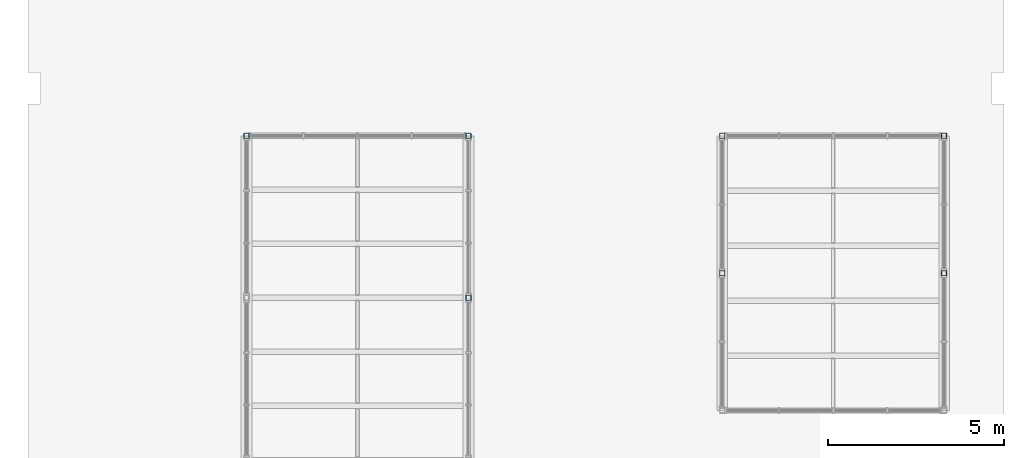
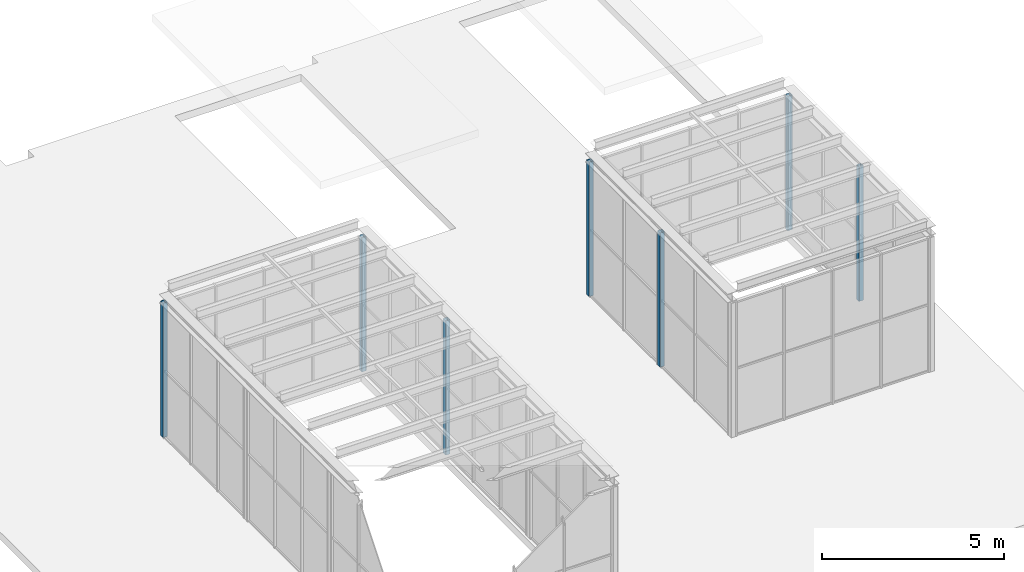
# One storey, part 3 of 25: 7 columns.
"""IFC4 building model written with IfcOpenShell, lengths in metres."""

from ifc_helpers import new_model, si_unit, direction, frame, origin, origin_2d, place, context, subcontext, project, spatial, hollow_rectangle, extrude, material, material_profile, profile_set, type_object, element, save


model = new_model("IFC4")

# Units and contexts
model_context = context("Model", 3, precision=1e-05, world=origin(), true_north=direction((0.0, 1.0)))
body_context = subcontext(model_context, "Body", "Model", "MODEL_VIEW")
ifc_project = project(units=[si_unit("LENGTHUNIT", "METRE"), si_unit("AREAUNIT", "SQUARE_METRE"), si_unit("VOLUMEUNIT", "CUBIC_METRE"), si_unit("PLANEANGLEUNIT", "RADIAN"), si_unit("MASSUNIT", "GRAM", prefix="KILO")], contexts=[model_context])

# Site, building, storey
site_placement = place(None, origin())
site = spatial("IfcSite", under=ifc_project, at=site_placement, CompositionType="ELEMENT")
building_placement = place(site_placement, origin())
building = spatial("IfcBuilding", under=site, at=building_placement, Name="Aurelan Courthouse", CompositionType="ELEMENT")
storey_placement = place(building_placement, frame((0.0, 0.0, 44.39990234375)))
storey = spatial("IfcBuildingStorey", under=building, at=storey_placement, Name="L08", CompositionType="ELEMENT", Elevation=44.39990234375)

# Columns
ifc_material = material(Name="Steel S355", Category="steel")
ifc_material_profile = material_profile(ifc_material, hollow_rectangle(XDim=0.14990234375, YDim=0.14990234375, WallThickness=0.008056640625, InnerFilletRadius=0.011962890625, OuterFilletRadius=0.02001953125, at=origin_2d()), Name="SHS 150x150x8")
ifc_profile_set = profile_set([ifc_material_profile], Name="Steel S355")
column_type = type_object("IfcColumnType", Name="Lantern post SHS 150x150x8", PredefinedType="COLUMN", material=ifc_profile_set)
for number, where, z_axis, x_axis, name in (
    (1, (48.14990234375, 48.050048828125, 0.0), (0.0, 0.0, 1.0), (1.0, 0.0, 0.0), "Lantern post LX-V21-06"),
    (2, (41.85009765625, 52.64990234375, 0.0), (0.0, 0.0, 1.0), (1.0, 0.0, 0.0), "Lantern post LX-V21-07"),
    (3, (48.14990234375, 52.64990234375, 0.0), (0.0, 0.0, 1.0), (1.0, 0.0, 0.0), "Lantern post LX-V21-08"),
    (4, (55.35009765625, 48.75, 0.0), (0.0, 0.0, 1.0), (1.0, 0.0, 0.0), "Lantern post LX-V22-03"),
    (5, (61.64990234375, 48.75, 0.0), (0.0, 0.0, 1.0), (1.0, 0.0, 0.0), "Lantern post LX-V22-04"),
    (6, (55.35009765625, 52.64990234375, 0.0), (0.0, 0.0, 1.0), (1.0, 0.0, 0.0), "Lantern post LX-V22-05"),
    (7, (61.64990234375, 52.64990234375, 0.0), (0.0, 0.0, 1.0), (1.0, 0.0, 0.0), "Lantern post LX-V22-06"),
):
    element("IfcColumn", number, at=place(storey_placement, frame(where, z_axis=z_axis, x_axis=x_axis)), inside=storey, type_object=column_type, Name=name, PredefinedType="COLUMN", context=body_context, shape_type="SweptSolid", body=[
        extrude(hollow_rectangle(XDim=0.14990234375, YDim=0.14990234375, WallThickness=0.008056640625, InnerFilletRadius=0.011962890625, OuterFilletRadius=0.02001953125, at=origin_2d()), origin(), (0.0, 0.0, 1.0), 4.5),
    ])

save(model, "model.ifc")
